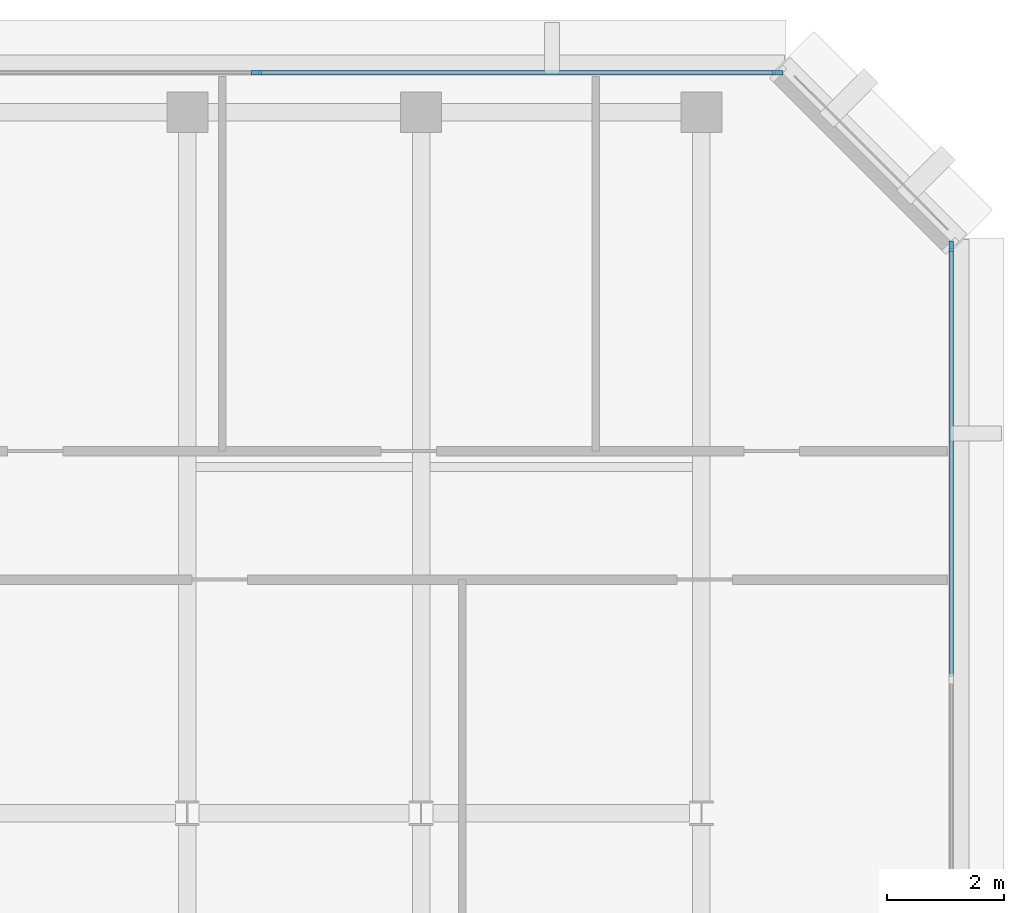
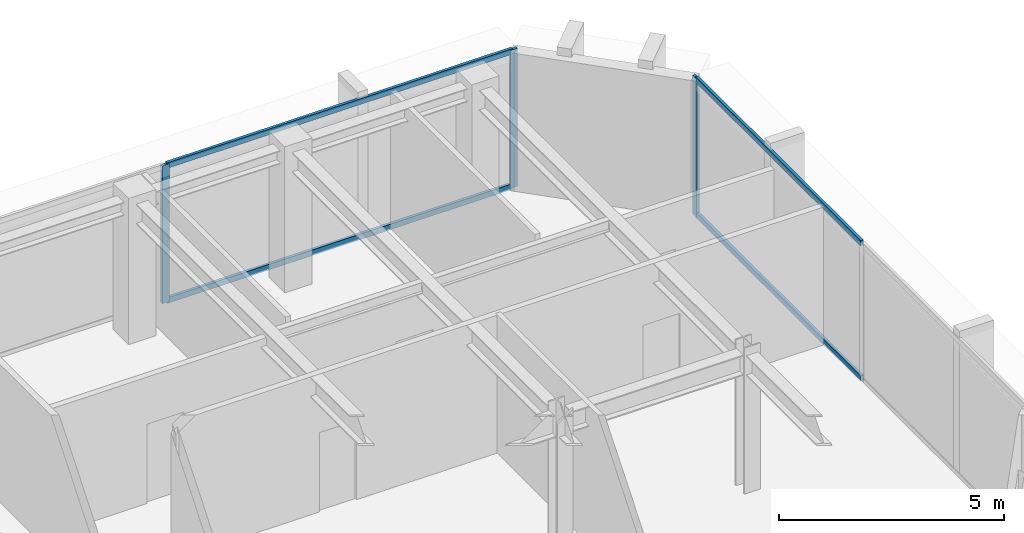
# One storey, part 5 of 11: 7 members, 2 elements without a shape of their own.
"""IFC4 building model written with IfcOpenShell, lengths in metres."""

from ifc_helpers import new_model, si_unit, direction, frame, origin, origin_2d, place, context, subcontext, project, spatial, rectangle, extrude, material, layer, layer_set, material_profile, profile_set, type_object, element, aggregate, save


model = new_model("IFC4")

# Units and contexts
model_context = context("Model", 3, precision=1e-05, world=origin(), true_north=direction((0.0, 1.0)))
body_context = subcontext(model_context, "Body", "Model", "MODEL_VIEW")
ifc_project = project(units=[si_unit("LENGTHUNIT", "METRE"), si_unit("AREAUNIT", "SQUARE_METRE"), si_unit("VOLUMEUNIT", "CUBIC_METRE"), si_unit("PLANEANGLEUNIT", "RADIAN"), si_unit("MASSUNIT", "GRAM", prefix="KILO")], contexts=[model_context])

# Site, building, storey
site_placement = place(None, origin())
site = spatial("IfcSite", under=ifc_project, at=site_placement, CompositionType="ELEMENT")
building_placement = place(site_placement, origin())
building = spatial("IfcBuilding", under=site, at=building_placement, Name="Kefirva Bronze Tower", CompositionType="ELEMENT")
storey_placement = place(building_placement, frame((0.0, 0.0, 315.81005859375)))
storey = spatial("IfcBuildingStorey", under=building, at=storey_placement, Name="L77", CompositionType="ELEMENT", Elevation=315.81005859375)

# Curtain wall, member
ifc_material = material(Name="Bronze anodised aluminium", Category="aluminium")
ifc_layer = layer(ifc_material, 0.179931640625, Name="Bronze anodised aluminium")
ifc_layer_set = layer_set([ifc_layer], Name="Bronze anodised aluminium")
curtain_wall_type = type_object("IfcCurtainWallType", Name="Unitised Bronze Ribbon Curtain Wall Zone 4", PredefinedType="USERDEFINED", material=ifc_layer_set)
curtain_wall_1_placement = place(storey_placement, origin())
curtain_wall_1 = element("IfcCurtainWall", 1, at=curtain_wall_1_placement, inside=storey, type_object=curtain_wall_type, Name="L77 Curtain Wall 3", ObjectType="UNITISED CURTAIN WALL", PredefinedType="USERDEFINED")
ifc_material_profile_1 = material_profile(ifc_material, rectangle(XDim=0.074951171875, YDim=0.179931640625, at=origin_2d()), Name="ALU 75x180")
ifc_profile_set_1 = profile_set([ifc_material_profile_1], Name="Bronze anodised aluminium")
member_type_1 = type_object("IfcMemberType", Name="Bronze Mullion 75x180", PredefinedType="MULLION", material=ifc_profile_set_1)
member_1_placement = place(storey_placement, frame((44.280029296875, 42.907470703125, 0.0), z_axis=(0.0, 0.0, 1.0), x_axis=(-1.0, 0.0, 0.0)))
member_1 = element("IfcMember", 2, at=member_1_placement, type_object=member_type_1, Name="CW-04 mullion 3", PredefinedType="MULLION", context=body_context, shape_type="SweptSolid", body=[
    extrude(rectangle(XDim=0.074951171875, YDim=0.179931640625, at=origin_2d()), origin(), (0.0, 0.0, 1.0), 3.739990234375),
])

# Curtain wall, members
curtain_wall_2_placement = place(storey_placement, origin())
curtain_wall_2 = element("IfcCurtainWall", 3, at=curtain_wall_2_placement, inside=storey, type_object=curtain_wall_type, Name="L77 Curtain Wall 4", ObjectType="UNITISED CURTAIN WALL", PredefinedType="USERDEFINED")
member_2_placement = place(storey_placement, frame((41.3076171875, 45.8798828125, 0.0), z_axis=(0.0, 0.0, 1.0), x_axis=(0.0, -1.0, 0.0)))
member_2 = element("IfcMember", 4, at=member_2_placement, type_object=member_type_1, Name="CW-04 mullion 1", PredefinedType="MULLION", context=body_context, shape_type="SweptSolid", body=[
    extrude(rectangle(XDim=0.074951171875, YDim=0.179931640625, at=origin_2d()), origin(), (0.0, 0.0, 1.0), 3.739990234375),
])
member_3_placement = place(storey_placement, frame((32.375, 45.8798828125, 0.0), z_axis=(0.0, 0.0, 1.0), x_axis=(0.0, -1.0, 0.0)))
member_3 = element("IfcMember", 5, at=member_3_placement, type_object=member_type_1, Name="CW-04 mullion 2", PredefinedType="MULLION", context=body_context, shape_type="SweptSolid", body=[
    extrude(rectangle(XDim=0.074951171875, YDim=0.179931640625, at=origin_2d()), origin(), (0.0, 0.0, 1.0), 3.739990234375),
])

# Member
ifc_material_profile_2 = material_profile(ifc_material, rectangle(XDim=0.074951171875, YDim=0.14990234375, at=origin_2d()), Name="ALU 75x150")
ifc_profile_set_2 = profile_set([ifc_material_profile_2], Name="Bronze anodised aluminium")
member_type_2 = type_object("IfcMemberType", Name="Bronze Transom 75x150", PredefinedType="USERDEFINED", material=ifc_profile_set_2)
member_4_placement = place(storey_placement, frame((44.280029296875, 35.53759765625, 0.037353515625), z_axis=(0.0, 1.0, 0.0), x_axis=(-1.0, 0.0, 0.0)))
member_4 = element("IfcMember", 6, at=member_4_placement, type_object=member_type_2, Name="CW-04 transom 2.1", ObjectType="TRANSOM", PredefinedType="USERDEFINED", context=body_context, shape_type="SweptSolid", body=[
    extrude(rectangle(XDim=0.074951171875, YDim=0.14990234375, at=origin_2d()), origin(), (0.0, 0.0, 1.0), 7.33251953125),
])

member_5_placement = place(storey_placement, frame((44.280029296875, 35.53759765625, 3.702392578125), z_axis=(0.0, 1.0, 0.0), x_axis=(-1.0, 0.0, 0.0)))
member_5 = element("IfcMember", 7, at=member_5_placement, type_object=member_type_2, Name="CW-04 transom 2.2", ObjectType="TRANSOM", PredefinedType="USERDEFINED", context=body_context, shape_type="SweptSolid", body=[
    extrude(rectangle(XDim=0.074951171875, YDim=0.14990234375, at=origin_2d()), origin(), (0.0, 0.0, 1.0), 7.33251953125),
])

aggregate(curtain_wall_1, [member_1, member_4, member_5])

member_6_placement = place(storey_placement, frame((41.27001953125, 45.8798828125, 0.037353515625), z_axis=(-1.0, 0.0, 0.0), x_axis=(0.0, -1.0, 0.0)))
member_6 = element("IfcMember", 8, at=member_6_placement, type_object=member_type_2, Name="CW-04 transom 1.1", ObjectType="TRANSOM", PredefinedType="USERDEFINED", context=body_context, shape_type="SweptSolid", body=[
    extrude(rectangle(XDim=0.074951171875, YDim=0.14990234375, at=origin_2d()), origin(), (0.0, 0.0, 1.0), 8.857421875),
])

member_7_placement = place(storey_placement, frame((41.27001953125, 45.8798828125, 3.702392578125), z_axis=(-1.0, 0.0, 0.0), x_axis=(0.0, -1.0, 0.0)))
member_7 = element("IfcMember", 9, at=member_7_placement, type_object=member_type_2, Name="CW-04 transom 1.2", ObjectType="TRANSOM", PredefinedType="USERDEFINED", context=body_context, shape_type="SweptSolid", body=[
    extrude(rectangle(XDim=0.074951171875, YDim=0.14990234375, at=origin_2d()), origin(), (0.0, 0.0, 1.0), 8.857421875),
])

aggregate(curtain_wall_2, [member_2, member_3, member_6, member_7])

save(model, "model.ifc")
